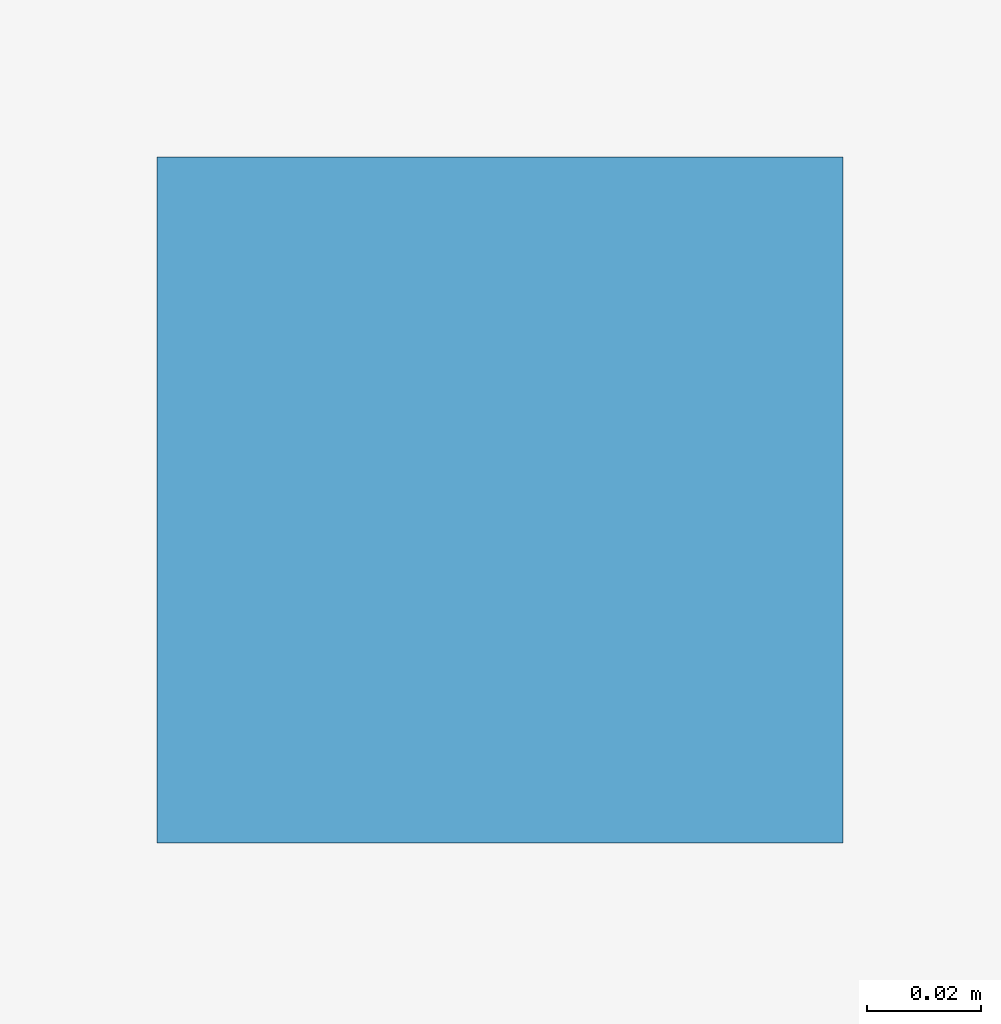
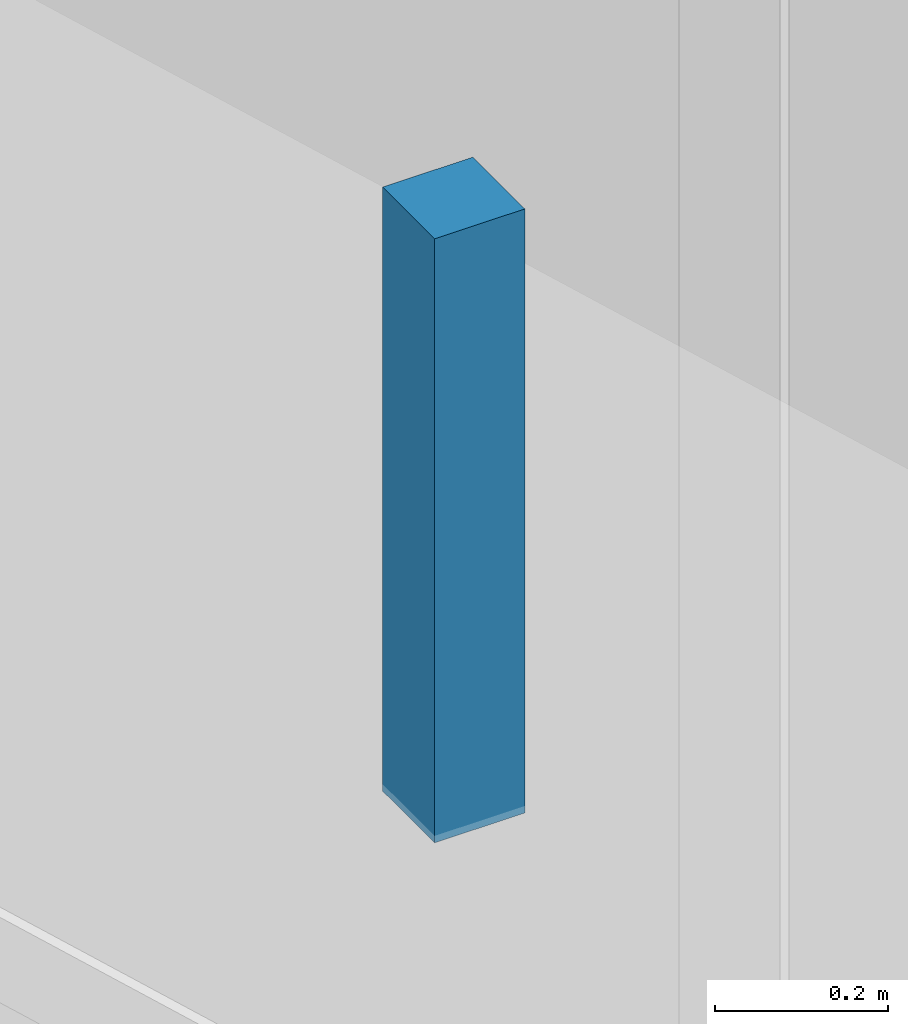
# One storey, part 99 of 113: 1 discrete accessory.
"""IFC4 building model written with IfcOpenShell, lengths in metres."""

from ifc_helpers import new_model, si_unit, direction, frame, origin, origin_2d, place, context, subcontext, project, spatial, rectangle, extrude, material, type_object, element, save


model = new_model("IFC4")

# Units and contexts
model_context = context("Model", 3, precision=1e-05, world=origin(), true_north=direction((0.0, 1.0)))
body_context = subcontext(model_context, "Body", "Model", "MODEL_VIEW")
ifc_project = project(units=[si_unit("LENGTHUNIT", "METRE"), si_unit("AREAUNIT", "SQUARE_METRE"), si_unit("VOLUMEUNIT", "CUBIC_METRE"), si_unit("PLANEANGLEUNIT", "RADIAN"), si_unit("MASSUNIT", "GRAM", prefix="KILO")], contexts=[model_context])

# Site, building, storey
site_placement = place(None, origin())
site = spatial("IfcSite", under=ifc_project, at=site_placement, CompositionType="ELEMENT")
building_placement = place(site_placement, origin())
building = spatial("IfcBuilding", under=site, at=building_placement, Name="Wrenclough Park School", CompositionType="ELEMENT")
storey_placement = place(building_placement, origin())
storey = spatial("IfcBuildingStorey", under=building, at=storey_placement, Name="L00", CompositionType="ELEMENT", Elevation=0.0)

# Discrete accessory
ifc_material = material(Name="Galvanised steel acoustic ceiling suspension hanger", Category="steel")
discrete_accessory_type = type_object("IfcDiscreteAccessoryType", Name="INT-BRK-HGR", PredefinedType="BRACKET", material=ifc_material)
discrete_accessory_placement = place(storey_placement, frame((28.215087890625, 60.887451171875, 3.08984375), z_axis=(0.0, 0.0, 1.0), x_axis=(1.0, 0.0, 0.0)))
element("IfcDiscreteAccessory", 1, at=discrete_accessory_placement, inside=storey, type_object=discrete_accessory_type, Name="Acoustic ceiling hanger bracket 0015", PredefinedType="BRACKET", context=body_context, shape_type="SweptSolid", body=[
    extrude(rectangle(XDim=0.1201171875, YDim=0.1201171875, at=origin_2d()), origin(), (0.0, 0.0, 1.0), 0.85009765625),
])

save(model, "model.ifc")
